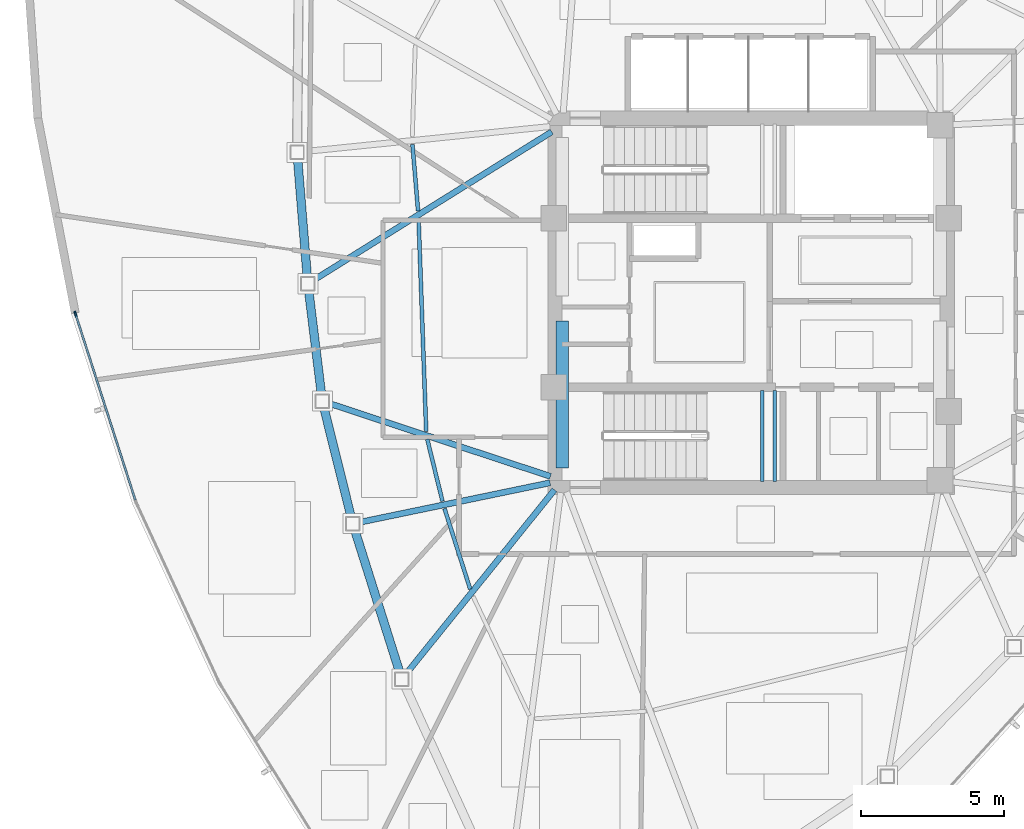
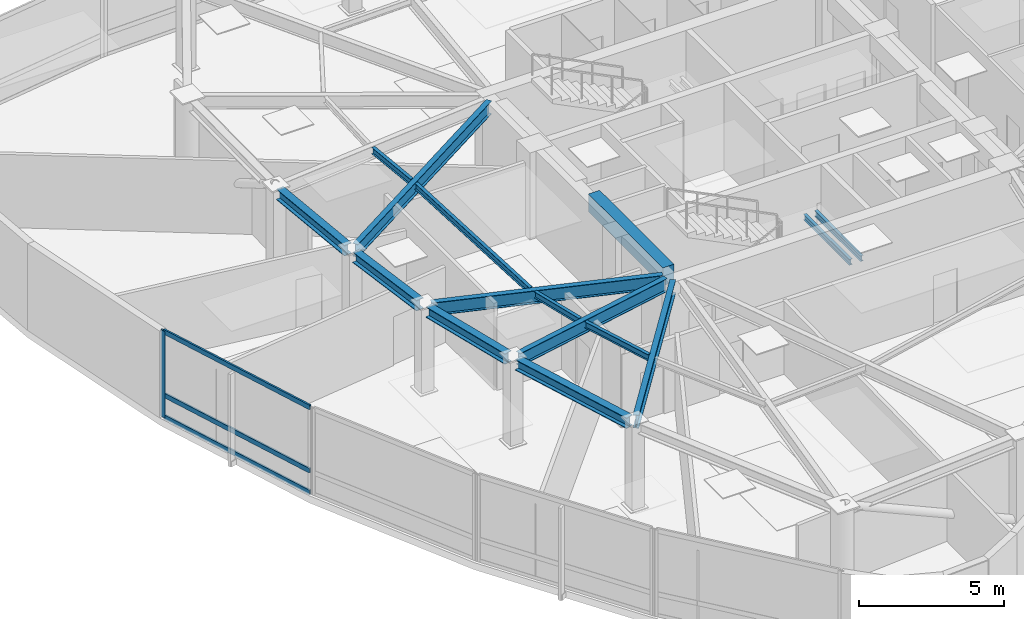
# One storey, part 3 of 14: 15 beams, 4 members, 1 element without a shape of its own.
"""IFC4 building model written with IfcOpenShell, lengths in metres."""

from ifc_helpers import new_model, si_unit, direction, frame, origin, origin_2d, place, context, subcontext, project, spatial, rectangle, hollow_rectangle, i_section, extrude, source, transform, mapped, material, layer, layer_set, material_profile, profile_set, type_object, type_shapes, element, aggregate, save


model = new_model("IFC4")

# Units and contexts
model_context = context("Model", 3, precision=1e-05, world=origin(), true_north=direction((0.0, 1.0)))
body_context = subcontext(model_context, "Body", "Model", "MODEL_VIEW")
ifc_project = project(units=[si_unit("LENGTHUNIT", "METRE"), si_unit("AREAUNIT", "SQUARE_METRE"), si_unit("VOLUMEUNIT", "CUBIC_METRE"), si_unit("PLANEANGLEUNIT", "RADIAN"), si_unit("MASSUNIT", "GRAM", prefix="KILO")], contexts=[model_context])

# Site, building, storey
site_placement = place(None, origin())
site = spatial("IfcSite", under=ifc_project, at=site_placement, CompositionType="ELEMENT")
building_placement = place(site_placement, origin())
building = spatial("IfcBuilding", under=site, at=building_placement, Name="Tavelor Broadcast Tower", CompositionType="ELEMENT")
storey_placement = place(building_placement, frame((0.0, 0.0, 257.699951171875)))
storey = spatial("IfcBuildingStorey", under=building, at=storey_placement, Name="L61", CompositionType="ELEMENT", Elevation=257.699951171875)

# Beams
ifc_material_1 = material(Name="Concrete C40/50", Category="concrete")
ifc_material_profile_1 = material_profile(ifc_material_1, rectangle(XDim=0.449951171875, YDim=0.75, at=origin_2d()), Name="RC 450x750")
ifc_profile_set_1 = profile_set([ifc_material_profile_1], Name="Concrete C40/50")
beam_type_1 = type_object("IfcBeamType", Name="Basement Core Trim Beam 450x750", PredefinedType="BEAM", material=ifc_profile_set_1)
beam_1_placement = place(storey_placement, frame((43.39990234375, 39.23193359375, 3.275146484375), z_axis=(0.0, 1.0, 0.0), x_axis=(-1.0, 0.0, 0.0)))
element("IfcBeam", 1, at=beam_1_placement, inside=storey, type_object=beam_type_1, Name="L61 Core West-S Tie Girder", PredefinedType="BEAM", context=body_context, shape_type="SweptSolid", body=[
    extrude(rectangle(XDim=0.449951171875, YDim=0.75, at=origin_2d()), origin(), (0.0, 0.0, 1.0), 5.135986328125),
])
ifc_material_2 = material(Name="Steel S355", Category="steel")
ifc_material_profile_2 = material_profile(ifc_material_2, i_section(OverallWidth=0.135009765625, OverallDepth=0.27001953125, WebThickness=0.006591796875, FlangeThickness=0.01025390625, at=origin_2d()), Name="IPE 270")
ifc_profile_set_2 = profile_set([ifc_material_profile_2], Name="Steel S355")
beam_type_2 = type_object("IfcBeamType", Name="Composite Floor Joist T6 IPE 270", PredefinedType="JOIST", material=ifc_profile_set_2)
beam_2_placement = place(storey_placement, frame((38.168701171875, 50.531982421875, 3.51513671875), z_axis=(0.084031501076, -0.996463098578, 0.0), x_axis=(0.996463098578, 0.084031501076, 0.0)))
element("IfcBeam", 2, at=beam_2_placement, inside=storey, type_object=beam_type_2, Name="L61 Secondary Composite Floor Joist 02", PredefinedType="JOIST", context=body_context, shape_type="SweptSolid", body=[
    extrude(i_section(OverallWidth=0.135009765625, OverallDepth=0.27001953125, WebThickness=0.006591796875, FlangeThickness=0.01025390625, at=origin_2d()), origin(), (0.0, 0.0, 1.0), 2.3359375),
])
beam_3_placement = place(storey_placement, frame((38.381103515625, 47.9365234375, 3.51513671875), z_axis=(0.035987571959, -0.999352237534, 0.0), x_axis=(0.999352237534, 0.035987571959, 0.0)))
element("IfcBeam", 3, at=beam_3_placement, inside=storey, type_object=beam_type_2, Name="L61 Secondary Composite Floor Joist 03", PredefinedType="JOIST", context=body_context, shape_type="SweptSolid", body=[
    extrude(i_section(OverallWidth=0.135009765625, OverallDepth=0.27001953125, WebThickness=0.006591796875, FlangeThickness=0.01025390625, at=origin_2d()), origin(), (0.0, 0.0, 1.0), 7.442138671875),
])
beam_4_placement = place(storey_placement, frame((38.685546875, 40.23486328125, 3.51513671875), z_axis=(0.238024718386, -0.971259096965, 0.0), x_axis=(0.971259096965, 0.238024718386, 0.0)))
element("IfcBeam", 4, at=beam_4_placement, inside=storey, type_object=beam_type_2, Name="L61 Secondary Composite Floor Joist 04", PredefinedType="JOIST", context=body_context, shape_type="SweptSolid", body=[
    extrude(i_section(OverallWidth=0.135009765625, OverallDepth=0.27001953125, WebThickness=0.006591796875, FlangeThickness=0.01025390625, at=origin_2d()), origin(), (0.0, 0.0, 1.0), 2.22998046875),
])
beam_5_placement = place(storey_placement, frame((39.2890625, 37.810791015625, 3.51513671875), z_axis=(0.303612721519, -0.952795526507, 0.0), x_axis=(0.952795526507, 0.303612721519, 0.0)))
element("IfcBeam", 5, at=beam_5_placement, inside=storey, type_object=beam_type_2, Name="L61 Secondary Composite Floor Joist 05", PredefinedType="JOIST", context=body_context, shape_type="SweptSolid", body=[
    extrude(i_section(OverallWidth=0.135009765625, OverallDepth=0.27001953125, WebThickness=0.006591796875, FlangeThickness=0.01025390625, at=origin_2d()), origin(), (0.0, 0.0, 1.0), 2.9560546875),
])
ifc_material_profile_3 = material_profile(ifc_material_2, i_section(OverallWidth=0.300048828125, OverallDepth=0.449951171875, WebThickness=0.013916015625, FlangeThickness=0.02587890625, at=origin_2d()), Name="HEB 450")
ifc_profile_set_3 = profile_set([ifc_material_profile_3], Name="Steel S355")
beam_type_3 = type_object("IfcBeamType", Name="Perimeter Spandrel Beam T6 HEB 450", PredefinedType="SPANDREL", material=ifc_profile_set_3)
beam_6_placement = place(storey_placement, frame((34.15673828125, 50.0166015625, 3.425048828125), z_axis=(0.081762604382, -0.996651833152, 0.0), x_axis=(0.996651833152, 0.081762604382, 0.0)))
element("IfcBeam", 6, at=beam_6_placement, inside=storey, type_object=beam_type_3, Name="L61 Framed-Tube Ring Spandrel 02", PredefinedType="SPANDREL", context=body_context, shape_type="SweptSolid", body=[
    extrude(i_section(OverallWidth=0.300048828125, OverallDepth=0.449951171875, WebThickness=0.013916015625, FlangeThickness=0.02587890625, at=origin_2d()), origin(), (0.0, 0.0, 1.0), 4.126708984375),
])
beam_7_placement = place(storey_placement, frame((34.54296875, 45.42626953125, 3.425048828125), z_axis=(0.122281853392, -0.992495414766, 0.0), x_axis=(0.992495414766, 0.122281853392, 0.0)))
element("IfcBeam", 7, at=beam_7_placement, inside=storey, type_object=beam_type_3, Name="L61 Framed-Tube Ring Spandrel 03", PredefinedType="SPANDREL", context=body_context, shape_type="SweptSolid", body=[
    extrude(i_section(OverallWidth=0.300048828125, OverallDepth=0.449951171875, WebThickness=0.013916015625, FlangeThickness=0.02587890625, at=origin_2d()), origin(), (0.0, 0.0, 1.0), 3.651611328125),
])
beam_8_placement = place(storey_placement, frame((35.076904296875, 41.3310546875, 3.425048828125), z_axis=(0.241279026366, -0.97045578541, 0.0), x_axis=(0.97045578541, 0.241279026366, 0.0)))
element("IfcBeam", 8, at=beam_8_placement, inside=storey, type_object=beam_type_3, Name="L61 Framed-Tube Ring Spandrel 04", PredefinedType="SPANDREL", context=body_context, shape_type="SweptSolid", body=[
    extrude(i_section(OverallWidth=0.300048828125, OverallDepth=0.449951171875, WebThickness=0.013916015625, FlangeThickness=0.02587890625, at=origin_2d()), origin(), (0.0, 0.0, 1.0), 3.93212890625),
])
beam_9_placement = place(storey_placement, frame((36.15576171875, 37.053466796875, 3.425048828125), z_axis=(0.300999122242, -0.953624416849, 0.0), x_axis=(0.953624416849, 0.300999122242, 0.0)))
element("IfcBeam", 9, at=beam_9_placement, inside=storey, type_object=beam_type_3, Name="L61 Framed-Tube Ring Spandrel 05", PredefinedType="SPANDREL", context=body_context, shape_type="SweptSolid", body=[
    extrude(i_section(OverallWidth=0.300048828125, OverallDepth=0.449951171875, WebThickness=0.013916015625, FlangeThickness=0.02587890625, at=origin_2d()), origin(), (0.0, 0.0, 1.0), 5.212890625),
])
ifc_material_profile_4 = material_profile(ifc_material_2, i_section(OverallWidth=0.2099609375, OverallDepth=0.550048828125, WebThickness=0.010986328125, FlangeThickness=0.01708984375, at=origin_2d()), Name="IPE 550")
ifc_profile_set_4 = profile_set([ifc_material_profile_4], Name="Steel S355")
beam_type_4 = type_object("IfcBeamType", Name="Radial Floor Girder T6 IPE 550", PredefinedType="BEAM", material=ifc_profile_set_4)
beam_10_placement = place(storey_placement, frame((43.033203125, 50.9716796875, 3.375), z_axis=(-0.848789723342, -0.528730560445, 0.0), x_axis=(0.528730560445, -0.848789723342, 0.0)))
element("IfcBeam", 10, at=beam_10_placement, inside=storey, type_object=beam_type_4, Name="L61 Radial Primary Floor Girder 03", PredefinedType="BEAM", context=body_context, shape_type="SweptSolid", body=[
    extrude(i_section(OverallWidth=0.2099609375, OverallDepth=0.550048828125, WebThickness=0.010986328125, FlangeThickness=0.01708984375, at=origin_2d()), origin(), (0.0, 0.0, 1.0), 9.79736328125),
])
beam_11_placement = place(storey_placement, frame((42.98974609375, 38.935302734375, 3.375), z_axis=(-0.949690563793, 0.313189771613, 0.0), x_axis=(-0.313189771613, -0.949690563793, 0.0)))
element("IfcBeam", 11, at=beam_11_placement, inside=storey, type_object=beam_type_4, Name="L61 Radial Primary Floor Girder 04", PredefinedType="BEAM", context=body_context, shape_type="SweptSolid", body=[
    extrude(i_section(OverallWidth=0.2099609375, OverallDepth=0.550048828125, WebThickness=0.010986328125, FlangeThickness=0.01708984375, at=origin_2d()), origin(), (0.0, 0.0, 1.0), 8.153076171875),
])
beam_12_placement = place(storey_placement, frame((42.97705078125, 38.71240234375, 3.375), z_axis=(-0.979151221162, -0.203132681016, 0.0), x_axis=(0.203132681016, -0.979151221162, 0.0)))
element("IfcBeam", 12, at=beam_12_placement, inside=storey, type_object=beam_type_4, Name="L61 Radial Primary Floor Girder 05", PredefinedType="BEAM", context=body_context, shape_type="SweptSolid", body=[
    extrude(i_section(OverallWidth=0.2099609375, OverallDepth=0.550048828125, WebThickness=0.010986328125, FlangeThickness=0.01708984375, at=origin_2d()), origin(), (0.0, 0.0, 1.0), 6.80029296875),
])
beam_13_placement = place(storey_placement, frame((43.12890625, 38.463623046875, 3.375), z_axis=(-0.627814320215, -0.778363141042, 0.0), x_axis=(0.778363141042, -0.627814320215, 0.0)))
element("IfcBeam", 13, at=beam_13_placement, inside=storey, type_object=beam_type_4, Name="L61 Radial Primary Floor Girder 06", PredefinedType="BEAM", context=body_context, shape_type="SweptSolid", body=[
    extrude(i_section(OverallWidth=0.2099609375, OverallDepth=0.550048828125, WebThickness=0.010986328125, FlangeThickness=0.01708984375, at=origin_2d()), origin(), (0.0, 0.0, 1.0), 8.252685546875),
])
ifc_material_profile_5 = material_profile(ifc_material_2, i_section(OverallWidth=0.1201171875, OverallDepth=0.239990234375, WebThickness=0.006103515625, FlangeThickness=0.009765625, at=origin_2d()), Name="IPE 240")
ifc_profile_set_5 = profile_set([ifc_material_profile_5], Name="Steel S355")
beam_type_5 = type_object("IfcBeamType", Name="Stairwell Landing Support Trimmer Beam IPE240", PredefinedType="BEAM", material=ifc_profile_set_5)
for number, where, z_axis, x_axis, name in (
    (14, (50.385009765625, 38.760009765625, 1.66015625), (0.0, 1.0, 0.0), (-1.0, 0.0, 0.0), "L61 Stair Landing Support Beam 377"),
    (15, (50.824951171875, 38.760009765625, 1.66015625), (0.0, 1.0, 0.0), (-1.0, 0.0, 0.0), "L61 Stair Landing Support Beam 378"),
):
    element("IfcBeam", number, at=place(storey_placement, frame(where, z_axis=z_axis, x_axis=x_axis)), inside=storey, type_object=beam_type_5, Name=name, PredefinedType="BEAM", context=body_context, shape_type="SweptSolid", body=[
        extrude(i_section(OverallWidth=0.1201171875, OverallDepth=0.239990234375, WebThickness=0.006103515625, FlangeThickness=0.009765625, at=origin_2d()), origin(), (0.0, 0.0, 1.0), 3.179931640625),
    ])

# Curtain wall, members
ifc_material_3 = material(Name="Architectural Anodized Aluminium", Category="aluminium")
ifc_layer = layer(ifc_material_3, 0.199951171875)
ifc_layer_set = layer_set([ifc_layer], Name="Architectural Anodized Aluminium")
curtain_wall_type = type_object("IfcCurtainWallType", Name="Tower High-Zone Triple-Glazed Curtain Wall CW04", PredefinedType="NOTDEFINED", material=ifc_layer_set)
curtain_wall_placement = place(storey_placement, origin())
curtain_wall = element("IfcCurtainWall", 16, at=curtain_wall_placement, inside=storey, type_object=curtain_wall_type, Name="L61 Curtain Wall CW04 Run 661", PredefinedType="NOTDEFINED")
ifc_material_profile_6 = material_profile(ifc_material_3, hollow_rectangle(XDim=0.070068359375, YDim=0.199951171875, WallThickness=0.02197265625, at=origin_2d()), Name="RHS 70x200x22")
ifc_profile_set_6 = profile_set([ifc_material_profile_6], Name="Architectural Anodized Aluminium")
member_type_1 = type_object("IfcMemberType", Name="CW04 Extruded Aluminium Mullion 70x200", PredefinedType="MULLION", material=ifc_profile_set_6)
shared_shape_1 = source(origin(), body_context, "Body", "SweptSolid", [
    extrude(hollow_rectangle(XDim=0.070068359375, YDim=0.199951171875, WallThickness=0.02197265625, at=origin_2d()), origin(), (0.0, 0.0, 1.0), 3.650146484375),
])
type_shapes(member_type_1, [shared_shape_1])
member_1_placement = place(storey_placement, frame((26.39697265625, 44.60888671875, 0.0), z_axis=(0.0, 0.0, 1.0), x_axis=(0.95199674725, 0.306108139756, 0.0)))
member_1 = element("IfcMember", 17, at=member_1_placement, type_object=member_type_1, Name="CW04 mullion 1", PredefinedType="MULLION", context=body_context, shape_type="MappedRepresentation", body=[
    mapped(shared_shape_1, transform((0.0, 0.0, 0.0), scale=1.0)),
])
ifc_material_profile_7 = material_profile(ifc_material_3, hollow_rectangle(XDim=0.070068359375, YDim=0.199951171875, WallThickness=0.02197265625, at=origin_2d()), Name="RHS 70x200x22")
ifc_profile_set_7 = profile_set([ifc_material_profile_7], Name="Architectural Anodized Aluminium")
member_type_2 = type_object("IfcMemberType", Name="CW04 Extruded Aluminium Transom 70x200", PredefinedType="USERDEFINED", material=ifc_profile_set_7)
shared_shape_2 = source(origin(), body_context, "Body", "SweptSolid", [
    extrude(hollow_rectangle(XDim=0.070068359375, YDim=0.199951171875, WallThickness=0.02197265625, at=origin_2d()), origin(), (0.0, 0.0, 1.0), 6.79443359375),
])
type_shapes(member_type_2, [shared_shape_2])
member_2_placement = place(storey_placement, frame((26.40771484375, 44.575439453125, 0.03515625), z_axis=(0.306109208236, -0.951996403687, 0.0), x_axis=(0.951996403687, 0.306109208236, 0.0)))
member_2 = element("IfcMember", 18, at=member_2_placement, type_object=member_type_2, Name="CW04 transom 1.1", ObjectType="TRANSOM", PredefinedType="USERDEFINED", context=body_context, shape_type="MappedRepresentation", body=[
    mapped(shared_shape_2, transform((0.0, 0.0, 0.0), scale=1.0)),
])
member_3_placement = place(storey_placement, frame((26.40771484375, 44.575439453125, 0.949951171875), z_axis=(0.306109208236, -0.951996403687, 0.0), x_axis=(0.951996403687, 0.306109208236, 0.0)))
member_3 = element("IfcMember", 19, at=member_3_placement, type_object=member_type_2, Name="CW04 transom 1.2", ObjectType="TRANSOM", PredefinedType="USERDEFINED", context=body_context, shape_type="MappedRepresentation", body=[
    mapped(shared_shape_2, transform((0.0, 0.0, 0.0), scale=1.0)),
])
member_4_placement = place(storey_placement, frame((26.40771484375, 44.575439453125, 3.614990234375), z_axis=(0.306109208236, -0.951996403687, 0.0), x_axis=(0.951996403687, 0.306109208236, 0.0)))
member_4 = element("IfcMember", 20, at=member_4_placement, type_object=member_type_2, Name="CW04 transom 1.3", ObjectType="TRANSOM", PredefinedType="USERDEFINED", context=body_context, shape_type="MappedRepresentation", body=[
    mapped(shared_shape_2, transform((0.0, 0.0, 0.0), scale=1.0)),
])
aggregate(curtain_wall, [member_1, member_2, member_3, member_4])

save(model, "model.ifc")
